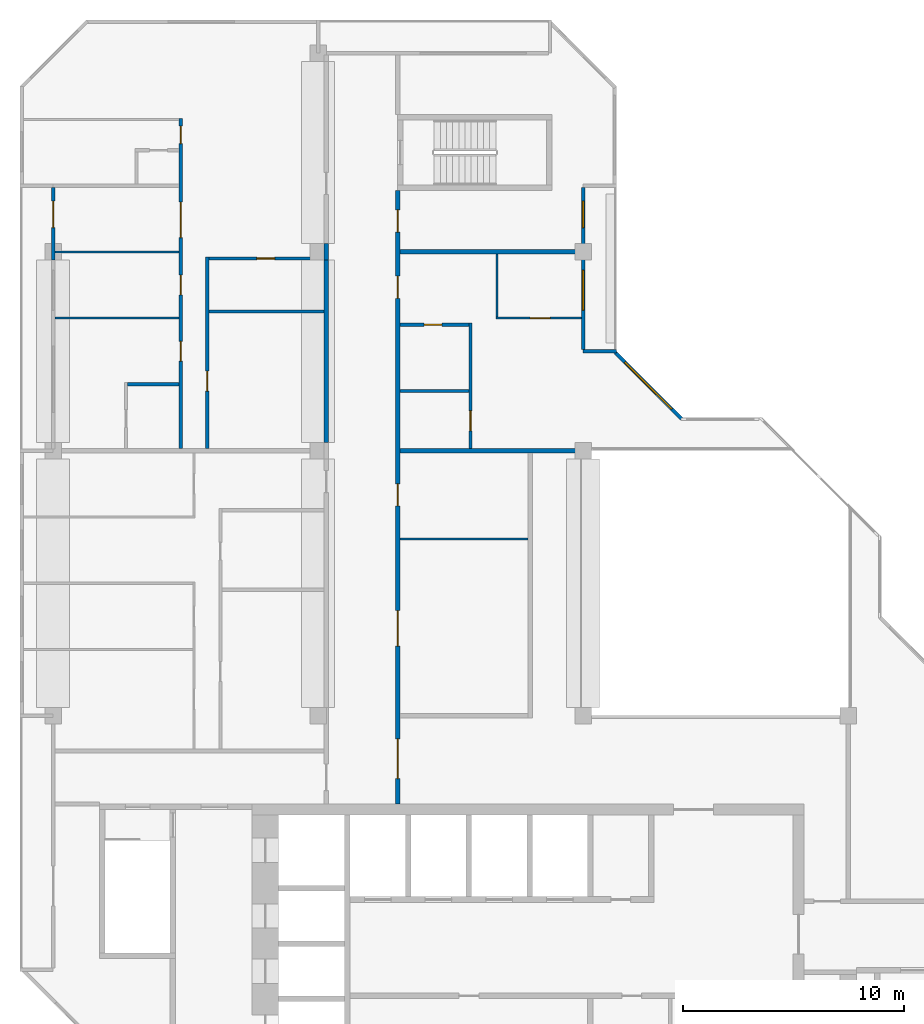
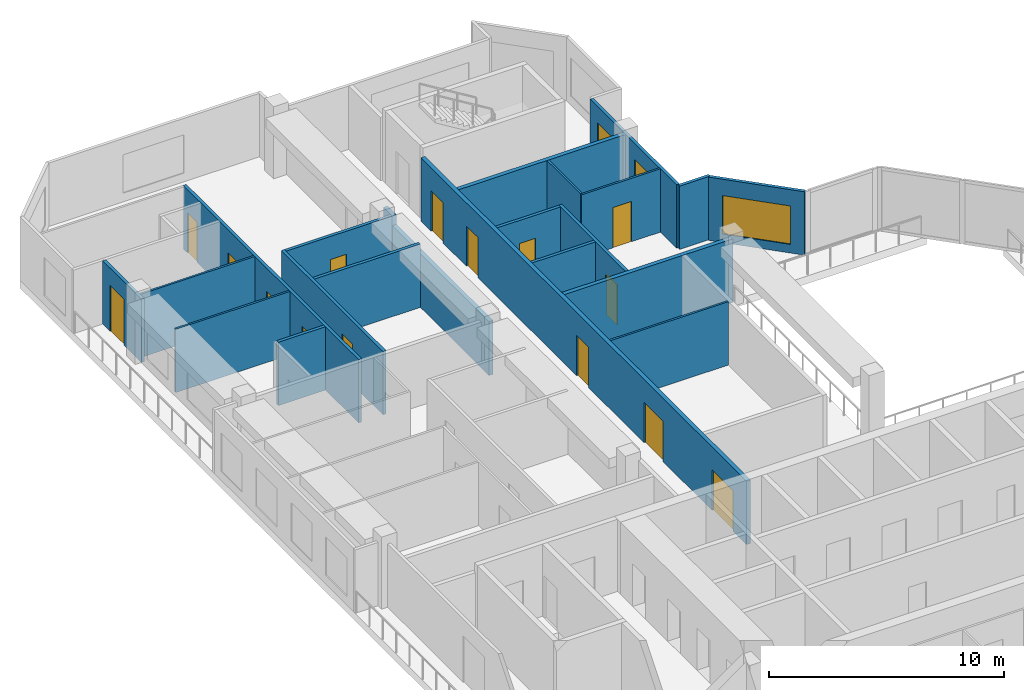
# One storey, part 8 of 11: 22 walls, 15 doors, 3 windows, 18 openings.
"""IFC4 building model written with IfcOpenShell, lengths in metres."""

from ifc_helpers import new_model, si_unit, direction, frame, frame_2d, origin, place, context, subcontext, project, spatial, rectangle, extrude, material, layer, layer_set, type_object, element, fill, save


model = new_model("IFC4")

# Units and contexts
model_context = context("Model", 3, precision=1e-05, world=origin(), true_north=direction((0.0, 1.0)))
body_context = subcontext(model_context, "Body", "Model", "MODEL_VIEW")
ifc_project = project(units=[si_unit("LENGTHUNIT", "METRE"), si_unit("AREAUNIT", "SQUARE_METRE"), si_unit("VOLUMEUNIT", "CUBIC_METRE"), si_unit("PLANEANGLEUNIT", "RADIAN"), si_unit("MASSUNIT", "GRAM", prefix="KILO")], contexts=[model_context])

# Site, building, storey
site_placement = place(None, origin())
site = spatial("IfcSite", under=ifc_project, at=site_placement, CompositionType="ELEMENT")
building_placement = place(site_placement, origin())
building = spatial("IfcBuilding", under=site, at=building_placement, Name="Chenar Terraces", CompositionType="ELEMENT")
storey_placement = place(building_placement, frame((0.0, 0.0, 380.14990234375)))
storey = spatial("IfcBuildingStorey", under=building, at=storey_placement, Name="L89", CompositionType="ELEMENT", Elevation=380.14990234375)

# Wall, openings, doors
ifc_material_1 = material(Name="Gypsum board on steel studs with fire boards", Category="steel")
ifc_layer_1 = layer(ifc_material_1, 0.199951171875)
ifc_layer_set_1 = layer_set([ifc_layer_1], Name="Gypsum board on steel studs with fire boards")
wall_type_1 = type_object("IfcWallType", Name="Corridor wall 200", PredefinedType="PARTITIONING", material=ifc_layer_set_1)
wall_1_placement = place(storey_placement, frame((15.60009765625, 20.0, 0.0), z_axis=(0.0, 0.0, 1.0), x_axis=(0.0, 1.0, 0.0)))
wall_1 = element("IfcWall", 1, at=wall_1_placement, inside=storey, type_object=wall_type_1, Name="Partition L89-031", PredefinedType="PARTITIONING", context=body_context, shape_type="SweptSolid", body=[
    extrude(rectangle(XDim=27.77490234375, YDim=0.199951171875, at=frame_2d((13.887451171875, 0.0))), origin(), (0.0, 0.0, 1.0), 3.300048828125),
])
opening_1_placement = place(wall_1_placement, frame((7.14990234375, 0.0, 0.0)))
opening_1 = element("IfcOpeningElement", 2, at=opening_1_placement, cuts=wall_1, Name="Opening DL89-1", PredefinedType="OPENING", context=body_context, shape_type="SweptSolid", body=[
    extrude(rectangle(XDim=1.60009765625, YDim=2.10009765625, at=frame_2d((0.800048828125, 1.050048828125))), frame((0.0, 0.10986328125, 0.0), z_axis=(0.0, -1.0, 0.0), x_axis=(1.0, 0.0, 0.0)), (0.0, 0.0, 1.0), 0.219970703125),
])
opening_2_placement = place(wall_1_placement, frame((13.5, 0.0, 0.0)))
opening_2 = element("IfcOpeningElement", 3, at=opening_2_placement, cuts=wall_1, Name="Opening DL89-2", PredefinedType="OPENING", context=body_context, shape_type="SweptSolid", body=[
    extrude(rectangle(XDim=1.0, YDim=2.10009765625, at=frame_2d((0.5, 1.050048828125))), frame((0.0, 0.10986328125, 0.0), z_axis=(0.0, -1.0, 0.0), x_axis=(1.0, 0.0, 0.0)), (0.0, 0.0, 1.0), 0.219970703125),
])
opening_3_placement = place(wall_1_placement, frame((22.89990234375, 0.0, 0.0)))
opening_3 = element("IfcOpeningElement", 4, at=opening_3_placement, cuts=wall_1, Name="Opening DL89-7", PredefinedType="OPENING", context=body_context, shape_type="SweptSolid", body=[
    extrude(rectangle(XDim=1.0, YDim=2.10009765625, at=frame_2d((0.5, 1.050048828125))), frame((0.0, 0.10986328125, 0.0), z_axis=(0.0, -1.0, 0.0), x_axis=(1.0, 0.0, 0.0)), (0.0, 0.0, 1.0), 0.219970703125),
])
opening_4_placement = place(wall_1_placement, frame((1.14990234375, 0.0, 0.0)))
opening_4 = element("IfcOpeningElement", 5, at=opening_4_placement, cuts=wall_1, Name="Opening DL89-18", PredefinedType="OPENING", context=body_context, shape_type="SweptSolid", body=[
    extrude(rectangle(XDim=1.800048828125, YDim=2.10009765625, at=frame_2d((0.89990234375, 1.050048828125))), frame((0.0, 0.10986328125, 0.0), z_axis=(0.0, -1.0, 0.0), x_axis=(1.0, 0.0, 0.0)), (0.0, 0.0, 1.0), 0.219970703125),
])
opening_5_placement = place(wall_1_placement, frame((25.89990234375, 0.0, 0.0)))
opening_5 = element("IfcOpeningElement", 6, at=opening_5_placement, cuts=wall_1, Name="Opening DL89-21", PredefinedType="OPENING", context=body_context, shape_type="SweptSolid", body=[
    extrude(rectangle(XDim=1.0, YDim=2.10009765625, at=frame_2d((0.5, 1.050048828125))), frame((0.0, 0.10986328125, 0.0), z_axis=(0.0, -1.0, 0.0), x_axis=(1.0, 0.0, 0.0)), (0.0, 0.0, 1.0), 0.219970703125),
])
ifc_material_2 = material(Name="Steel-framed fire-resisting door leaf", Category="steel")
door_type_1 = type_object("IfcDoorType", Name="Fire door FD60 1000 x 2100", OperationType="SINGLE_SWING_LEFT", PredefinedType="DOOR", material=ifc_material_2)
door_1_placement = place(opening_2_placement, frame((1.0, 0.0, 0.0), z_axis=(0.0, 0.0, 1.0), x_axis=(-1.0, 0.0, 0.0)))
door_1 = element("IfcDoor", 7, at=door_1_placement, inside=storey, type_object=door_type_1, Name="Door DL89-2", OperationType="SINGLE_SWING_LEFT", OverallHeight=2.10009765625, OverallWidth=1.0, PredefinedType="DOOR", context=body_context, shape_type="SweptSolid", body=[
    extrude(rectangle(XDim=1.0, YDim=2.10009765625, at=frame_2d((0.5, 1.050048828125))), frame((0.0, 0.02490234375, 0.0), z_axis=(0.0, -1.0, 0.0), x_axis=(1.0, 0.0, 0.0)), (0.0, 0.0, 1.0), 0.050048828125),
])
fill(opening_2, door_1)
door_2_placement = place(opening_3_placement, frame((1.0, 0.0, 0.0), z_axis=(0.0, 0.0, 1.0), x_axis=(-1.0, 0.0, 0.0)))
door_2 = element("IfcDoor", 8, at=door_2_placement, inside=storey, type_object=door_type_1, Name="Door DL89-7", OperationType="SINGLE_SWING_LEFT", OverallHeight=2.10009765625, OverallWidth=1.0, PredefinedType="DOOR", context=body_context, shape_type="SweptSolid", body=[
    extrude(rectangle(XDim=1.0, YDim=2.10009765625, at=frame_2d((0.5, 1.050048828125))), frame((0.0, 0.02490234375, 0.0), z_axis=(0.0, -1.0, 0.0), x_axis=(1.0, 0.0, 0.0)), (0.0, 0.0, 1.0), 0.050048828125),
])
fill(opening_3, door_2)
door_3_placement = place(opening_5_placement, frame((1.0, 0.0, 0.0), z_axis=(0.0, 0.0, 1.0), x_axis=(-1.0, 0.0, 0.0)))
door_3 = element("IfcDoor", 9, at=door_3_placement, inside=storey, type_object=door_type_1, Name="Door DL89-21", OperationType="SINGLE_SWING_RIGHT", OverallHeight=2.10009765625, OverallWidth=1.0, PredefinedType="DOOR", context=body_context, shape_type="SweptSolid", body=[
    extrude(rectangle(XDim=1.0, YDim=2.10009765625, at=frame_2d((0.5, 1.050048828125))), frame((0.0, 0.02490234375, 0.0), z_axis=(0.0, -1.0, 0.0), x_axis=(1.0, 0.0, 0.0)), (0.0, 0.0, 1.0), 0.050048828125),
])
fill(opening_5, door_3)
ifc_material_3 = material(Name="Steel-framed fire-resisting door leaf", Category="steel")
door_type_2 = type_object("IfcDoorType", Name="Fire double door FD60 1600 x 2100", OperationType="DOUBLE_DOOR_SINGLE_SWING", PredefinedType="DOOR", material=ifc_material_3)
door_4_placement = place(opening_1_placement, frame((1.60009765625, 0.0, 0.0), z_axis=(0.0, 0.0, 1.0), x_axis=(-1.0, 0.0, 0.0)))
door_4 = element("IfcDoor", 10, at=door_4_placement, inside=storey, type_object=door_type_2, Name="Door DL89-1", OperationType="DOUBLE_DOOR_SINGLE_SWING", OverallHeight=2.10009765625, OverallWidth=1.60009765625, PredefinedType="DOOR", context=body_context, shape_type="SweptSolid", body=[
    extrude(rectangle(XDim=1.60009765625, YDim=2.10009765625, at=frame_2d((0.800048828125, 1.050048828125))), frame((0.0, 0.02490234375, 0.0), z_axis=(0.0, -1.0, 0.0), x_axis=(1.0, 0.0, 0.0)), (0.0, 0.0, 1.0), 0.050048828125),
])
fill(opening_1, door_4)
ifc_material_4 = material(Name="Steel-framed fire-resisting door leaf", Category="steel")
door_type_3 = type_object("IfcDoorType", Name="Fire double door FD60 1800 x 2100", OperationType="DOUBLE_DOOR_SINGLE_SWING", PredefinedType="DOOR", material=ifc_material_4)
door_5_placement = place(opening_4_placement, frame((1.800048828125, 0.0, 0.0), z_axis=(0.0, 0.0, 1.0), x_axis=(-1.0, 0.0, 0.0)))
door_5 = element("IfcDoor", 11, at=door_5_placement, inside=storey, type_object=door_type_3, Name="Door DL89-18", OperationType="DOUBLE_DOOR_SINGLE_SWING", OverallHeight=2.10009765625, OverallWidth=1.800048828125, PredefinedType="DOOR", context=body_context, shape_type="SweptSolid", body=[
    extrude(rectangle(XDim=1.800048828125, YDim=2.10009765625, at=frame_2d((0.89990234375, 1.050048828125))), frame((0.0, 0.02490234375, 0.0), z_axis=(0.0, -1.0, 0.0), x_axis=(1.0, 0.0, 0.0)), (0.0, 0.0, 1.0), 0.050048828125),
])
fill(opening_4, door_5)

# Walls
wall_2_placement = place(storey_placement, frame((12.375, 36.375, 0.0), z_axis=(0.0, 0.0, 1.0), x_axis=(0.0, 1.0, 0.0)))
element("IfcWall", 12, at=wall_2_placement, inside=storey, type_object=wall_type_1, Name="Partition L89-029", PredefinedType="PARTITIONING", context=body_context, shape_type="SweptSolid", body=[
    extrude(rectangle(XDim=8.25, YDim=0.199951171875, at=frame_2d((4.125, 0.0))), origin(), (0.0, 0.0, 1.0), 2.800048828125),
])
wall_3_placement = place(storey_placement, frame((12.375, 44.625, 0.0), z_axis=(0.0, 0.0, 1.0), x_axis=(0.0, 1.0, 0.0)))
element("IfcWall", 13, at=wall_3_placement, inside=storey, type_object=wall_type_1, Name="Partition L89-029", PredefinedType="PARTITIONING", context=body_context, shape_type="SweptSolid", body=[
    extrude(rectangle(XDim=0.75, YDim=0.199951171875, at=frame_2d((0.375, 0.0))), origin(), (0.0, 0.0, 1.0), 3.300048828125),
])

# Wall, openings, windows
ifc_material_5 = material(Name="Aluminium framed glazing", Category="aluminium")
ifc_layer_2 = layer(ifc_material_5, 0.14990234375)
ifc_layer_set_2 = layer_set([ifc_layer_2], Name="Aluminium framed glazing")
wall_type_2 = type_object("IfcWallType", Name="Glazed loggia back wall 150", PredefinedType="SOLIDWALL", material=ifc_layer_set_2)
wall_4_placement = place(storey_placement, frame((24.0, 40.574951171875, 0.0), z_axis=(0.0, 0.0, 1.0), x_axis=(0.0, 1.0, 0.0)))
wall_4 = element("IfcWall", 14, at=wall_4_placement, inside=storey, type_object=wall_type_2, Name="Glazed loggia back wall", PredefinedType="SOLIDWALL", context=body_context, shape_type="SweptSolid", body=[
    extrude(rectangle(XDim=7.35009765625, YDim=0.14990234375, at=frame_2d((3.675048828125, 0.0))), origin(), (0.0, 0.0, 1.0), 3.300048828125),
])
opening_6_placement = place(wall_4_placement, frame((1.78759765625, 0.0, 0.449951171875)))
opening_6 = element("IfcOpeningElement", 15, at=opening_6_placement, cuts=wall_4, Name="Opening W180x200", PredefinedType="OPENING", context=body_context, shape_type="SweptSolid", body=[
    extrude(rectangle(XDim=1.800048828125, YDim=2.0, at=frame_2d((0.89990234375, 1.0))), frame((0.0, 0.0849609375, 0.0), z_axis=(0.0, -1.0, 0.0), x_axis=(1.0, 0.0, 0.0)), (0.0, 0.0, 1.0), 0.169921875),
])
opening_7_placement = place(wall_4_placement, frame((5.52490234375, 0.0, 0.449951171875)))
opening_7 = element("IfcOpeningElement", 16, at=opening_7_placement, cuts=wall_4, Name="Opening W120x200", PredefinedType="OPENING", context=body_context, shape_type="SweptSolid", body=[
    extrude(rectangle(XDim=1.199951171875, YDim=2.0, at=frame_2d((0.60009765625, 1.0))), frame((0.0, 0.0849609375, 0.0), z_axis=(0.0, -1.0, 0.0), x_axis=(1.0, 0.0, 0.0)), (0.0, 0.0, 1.0), 0.169921875),
])
ifc_material_6 = material(Name="Low emissivity double glazing, aluminium frame", Category="aluminium")
window_type_1 = type_object("IfcWindowType", Name="Fixed light 1200 x 2000", PartitioningType="SINGLE_PANEL", PredefinedType="WINDOW", material=ifc_material_6)
window_1_placement = place(opening_7_placement, origin())
window_1 = element("IfcWindow", 17, at=window_1_placement, inside=storey, type_object=window_type_1, Name="Window", OverallHeight=2.0, OverallWidth=1.199951171875, PartitioningType="SINGLE_PANEL", PredefinedType="WINDOW", context=body_context, shape_type="SweptSolid", body=[
    extrude(rectangle(XDim=1.199951171875, YDim=2.0, at=frame_2d((0.60009765625, 1.0))), frame((0.0, 0.030029296875, 0.0), z_axis=(0.0, -1.0, 0.0), x_axis=(1.0, 0.0, 0.0)), (0.0, 0.0, 1.0), 0.06005859375),
])
fill(opening_7, window_1)
ifc_material_7 = material(Name="Low emissivity double glazing, aluminium frame", Category="aluminium")
window_type_2 = type_object("IfcWindowType", Name="Fixed light 1800 x 2000", PartitioningType="SINGLE_PANEL", PredefinedType="WINDOW", material=ifc_material_7)
window_2_placement = place(opening_6_placement, origin())
window_2 = element("IfcWindow", 18, at=window_2_placement, inside=storey, type_object=window_type_2, Name="Window", OverallHeight=2.0, OverallWidth=1.800048828125, PartitioningType="SINGLE_PANEL", PredefinedType="WINDOW", context=body_context, shape_type="SweptSolid", body=[
    extrude(rectangle(XDim=1.800048828125, YDim=2.0, at=frame_2d((0.89990234375, 1.0))), frame((0.0, 0.030029296875, 0.0), z_axis=(0.0, -1.0, 0.0), x_axis=(1.0, 0.0, 0.0)), (0.0, 0.0, 1.0), 0.06005859375),
])
fill(opening_6, window_2)

# Wall, opening, door
wall_5_placement = place(storey_placement, frame((0.0, 47.925048828125, 0.0), z_axis=(0.0, 0.0, 1.0), x_axis=(0.0, -1.0, 0.0)))
wall_5 = element("IfcWall", 19, at=wall_5_placement, inside=storey, type_object=wall_type_2, Name="Glazed loggia back wall", PredefinedType="SOLIDWALL", context=body_context, shape_type="SweptSolid", body=[
    extrude(rectangle(XDim=3.300048828125, YDim=0.14990234375, at=frame_2d((1.64990234375, 0.0))), origin(), (0.0, 0.0, 1.0), 3.300048828125),
])
opening_8_placement = place(wall_5_placement, frame((0.625, 0.0, 0.0)))
opening_8 = element("IfcOpeningElement", 20, at=opening_8_placement, cuts=wall_5, Name="Opening DL89-G1", PredefinedType="OPENING", context=body_context, shape_type="SweptSolid", body=[
    extrude(rectangle(XDim=1.199951171875, YDim=2.39990234375, at=frame_2d((0.60009765625, 1.199951171875))), frame((0.0, 0.0849609375, 0.0), z_axis=(0.0, -1.0, 0.0), x_axis=(1.0, 0.0, 0.0)), (0.0, 0.0, 1.0), 0.169921875),
])
ifc_material_8 = material(Name="Low emissivity double glazing, aluminium frame", Category="aluminium")
door_type_4 = type_object("IfcDoorType", Name="Loggia glazed double door 1200 x 2400", OperationType="DOUBLE_DOOR_SINGLE_SWING", PredefinedType="DOOR", material=ifc_material_8)
door_6_placement = place(opening_8_placement, frame((1.199951171875, 0.0, 0.0), z_axis=(0.0, 0.0, 1.0), x_axis=(-1.0, 0.0, 0.0)))
door_6 = element("IfcDoor", 21, at=door_6_placement, inside=storey, type_object=door_type_4, Name="Loggia glazed door", OperationType="DOUBLE_DOOR_SINGLE_SWING", OverallHeight=2.39990234375, OverallWidth=1.199951171875, PredefinedType="DOOR", context=body_context, shape_type="SweptSolid", body=[
    extrude(rectangle(XDim=1.199951171875, YDim=2.39990234375, at=frame_2d((0.60009765625, 1.199951171875))), frame((0.0, 0.02490234375, 0.0), z_axis=(0.0, -1.0, 0.0), x_axis=(1.0, 0.0, 0.0)), (0.0, 0.0, 1.0), 0.050048828125),
])
fill(opening_8, door_6)

# Walls
ifc_material_9 = material(Name="Gypsum board on steel studs", Category="steel")
ifc_layer_3 = layer(ifc_material_9, 0.10009765625)
ifc_layer_set_3 = layer_set([ifc_layer_3], Name="Gypsum board on steel studs")
wall_type_3 = type_object("IfcWallType", Name="Gypsum partition 100", PredefinedType="PARTITIONING", material=ifc_layer_set_3)
for number, where, z_axis, x_axis, name in (
    (22, (0.073974609375, 42.0, 0.0), (0.0, 0.0, 1.0), (1.0, 0.0, 0.0), "Partition L89-009"),
    (23, (0.073974609375, 45.0, 0.0), (0.0, 0.0, 1.0), (1.0, 0.0, 0.0), "Partition L89-010"),
):
    element("IfcWall", number, at=place(storey_placement, frame(where, z_axis=z_axis, x_axis=x_axis)), inside=storey, type_object=wall_type_3, Name=name, PredefinedType="PARTITIONING", context=body_context, shape_type="SweptSolid", body=[
        extrude(rectangle(XDim=5.6259765625, YDim=0.10009765625, at=frame_2d((2.81298828125, 0.0))), origin(), (0.0, 0.0, 1.0), 3.300048828125),
    ])
wall_6_placement = place(storey_placement, frame((15.699951171875, 32.0, 0.0), z_axis=(0.0, 0.0, 1.0), x_axis=(1.0, 0.0, 0.0)))
element("IfcWall", 24, at=wall_6_placement, inside=storey, type_object=wall_type_3, Name="Partition L89-034", PredefinedType="PARTITIONING", context=body_context, shape_type="SweptSolid", body=[
    extrude(rectangle(XDim=5.800048828125, YDim=0.10009765625, at=frame_2d((2.89990234375, 0.0))), origin(), (0.0, 0.0, 1.0), 3.300048828125),
])

# Wall, opening, door
wall_7_placement = place(storey_placement, frame((20.050048828125, 42.0, 0.0), z_axis=(0.0, 0.0, 1.0), x_axis=(1.0, 0.0, 0.0)))
wall_7 = element("IfcWall", 25, at=wall_7_placement, inside=storey, type_object=wall_type_3, Name="Partition L89-041", PredefinedType="PARTITIONING", context=body_context, shape_type="SweptSolid", body=[
    extrude(rectangle(XDim=3.8759765625, YDim=0.10009765625, at=frame_2d((1.93798828125, 0.0))), origin(), (0.0, 0.0, 1.0), 3.300048828125),
])
opening_9_placement = place(wall_7_placement, frame((1.550048828125, 0.0, 0.0)))
opening_9 = element("IfcOpeningElement", 26, at=opening_9_placement, cuts=wall_7, Name="Opening DL89-5", PredefinedType="OPENING", context=body_context, shape_type="SweptSolid", body=[
    extrude(rectangle(XDim=0.89990234375, YDim=2.10009765625, at=frame_2d((0.449951171875, 1.050048828125))), frame((0.0, 0.06005859375, 0.0), z_axis=(0.0, -1.0, 0.0), x_axis=(1.0, 0.0, 0.0)), (0.0, 0.0, 1.0), 0.1201171875),
])
ifc_material_10 = material(Name="Veneered timber door leaf", Category="wood")
door_type_5 = type_object("IfcDoorType", Name="Door 900 x 2100", OperationType="SINGLE_SWING_LEFT", PredefinedType="DOOR", material=ifc_material_10)
door_7_placement = place(opening_9_placement, origin())
door_7 = element("IfcDoor", 27, at=door_7_placement, inside=storey, type_object=door_type_5, Name="Door DL89-5", OperationType="SINGLE_SWING_RIGHT", OverallHeight=2.10009765625, OverallWidth=0.89990234375, PredefinedType="DOOR", context=body_context, shape_type="SweptSolid", body=[
    extrude(rectangle(XDim=0.89990234375, YDim=2.10009765625, at=frame_2d((0.449951171875, 1.050048828125))), frame((0.0, 0.02490234375, 0.0), z_axis=(0.0, -1.0, 0.0), x_axis=(1.0, 0.0, 0.0)), (0.0, 0.0, 1.0), 0.050048828125),
])
fill(opening_9, door_7)

# Walls
wall_8_placement = place(storey_placement, frame((20.10009765625, 42.050048828125, 0.0), z_axis=(0.0, 0.0, 1.0), x_axis=(0.0, 1.0, 0.0)))
element("IfcWall", 28, at=wall_8_placement, inside=storey, type_object=wall_type_3, Name="Partition L89-042", PredefinedType="PARTITIONING", context=body_context, shape_type="SweptSolid", body=[
    extrude(rectangle(XDim=2.849853515625, YDim=0.10009765625, at=frame_2d((1.4248046875, 0.0))), origin(), (0.0, 0.0, 1.0), 3.300048828125),
])
ifc_material_11 = material(Name="Terracotta cladding on insulated backing", Category="masonry")
ifc_layer_4 = layer(ifc_material_11, 0.14990234375)
ifc_layer_set_4 = layer_set([ifc_layer_4], Name="Terracotta cladding on insulated backing")
wall_type_4 = type_object("IfcWallType", Name="Loggia return wall 150", PredefinedType="SOLIDWALL", material=ifc_layer_set_4)
wall_9_placement = place(storey_placement, frame((25.5, 40.5, 0.0), z_axis=(0.0, 0.0, 1.0), x_axis=(-1.0, 0.0, 0.0)))
element("IfcWall", 29, at=wall_9_placement, inside=storey, type_object=wall_type_4, Name="Loggia return wall", PredefinedType="SOLIDWALL", context=body_context, shape_type="SweptSolid", body=[
    extrude(rectangle(XDim=1.5, YDim=0.14990234375, at=frame_2d((0.75, 0.0))), origin(), (0.0, 0.0, 1.0), 3.300048828125),
])

# Wall, opening, window
ifc_material_12 = material(Name="Terracotta cladding on insulated backing", Category="masonry")
ifc_layer_5 = layer(ifc_material_12, 0.14990234375)
ifc_layer_set_5 = layer_set([ifc_layer_5], Name="Terracotta cladding on insulated backing")
wall_type_5 = type_object("IfcWallType", Name="Terracotta rainscreen wall 150", PredefinedType="SOLIDWALL", material=ifc_layer_set_5)
wall_10_placement = place(storey_placement, frame((28.447021484375, 37.447021484375, 0.0), z_axis=(0.0, 0.0, 1.0), x_axis=(-0.707106781187, 0.707106781187, 0.0)))
wall_10 = element("IfcWall", 30, at=wall_10_placement, inside=storey, type_object=wall_type_5, Name="Terracotta rainscreen wall", PredefinedType="SOLIDWALL", context=body_context, shape_type="SweptSolid", body=[
    extrude(rectangle(XDim=4.24267578125, YDim=0.14990234375, at=frame_2d((2.121337890625, 0.0))), origin(), (0.0, 0.0, 1.0), 3.300048828125),
])
opening_10_placement = place(wall_10_placement, frame((0.621337890625, 0.0, 0.449951171875)))
opening_10 = element("IfcOpeningElement", 31, at=opening_10_placement, cuts=wall_10, Name="Opening W300x200", PredefinedType="OPENING", context=body_context, shape_type="SweptSolid", body=[
    extrude(rectangle(XDim=3.0, YDim=2.0, at=frame_2d((1.5, 1.0))), frame((0.0, 0.0849609375, 0.0), z_axis=(0.0, -1.0, 0.0), x_axis=(1.0, 0.0, 0.0)), (0.0, 0.0, 1.0), 0.169921875),
])
ifc_material_13 = material(Name="Low emissivity double glazing, aluminium frame", Category="aluminium")
window_type_3 = type_object("IfcWindowType", Name="Fixed light 3000 x 2000", PartitioningType="SINGLE_PANEL", PredefinedType="WINDOW", material=ifc_material_13)
window_3_placement = place(opening_10_placement, origin())
window_3 = element("IfcWindow", 32, at=window_3_placement, inside=storey, type_object=window_type_3, Name="Window", OverallHeight=2.0, OverallWidth=3.0, PartitioningType="SINGLE_PANEL", PredefinedType="WINDOW", context=body_context, shape_type="SweptSolid", body=[
    extrude(rectangle(XDim=3.0, YDim=2.0, at=frame_2d((1.5, 1.0))), frame((0.0, 0.030029296875, 0.0), z_axis=(0.0, -1.0, 0.0), x_axis=(1.0, 0.0, 0.0)), (0.0, 0.0, 1.0), 0.06005859375),
])
fill(opening_10, window_3)

# Walls
ifc_material_14 = material(Name="Twin gypsum board on steel studs with mineral wool", Category="steel")
ifc_layer_6 = layer(ifc_material_14, 0.199951171875)
ifc_layer_set_6 = layer_set([ifc_layer_6], Name="Twin gypsum board on steel studs with mineral wool")
wall_type_6 = type_object("IfcWallType", Name="Unit demising wall 200", PredefinedType="PARTITIONING", material=ifc_layer_set_6)
wall_11_placement = place(storey_placement, frame((15.699951171875, 36.0, 0.0), z_axis=(0.0, 0.0, 1.0), x_axis=(1.0, 0.0, 0.0)))
element("IfcWall", 33, at=wall_11_placement, inside=storey, type_object=wall_type_6, Name="Partition L89-035", PredefinedType="PARTITIONING", context=body_context, shape_type="SweptSolid", body=[
    extrude(rectangle(XDim=8.300048828125, YDim=0.199951171875, at=frame_2d((4.14990234375, 0.0))), origin(), (0.0, 0.0, 1.0), 3.300048828125),
])
wall_12_placement = place(storey_placement, frame((15.699951171875, 45.0, 0.0), z_axis=(0.0, 0.0, 1.0), x_axis=(1.0, 0.0, 0.0)))
element("IfcWall", 34, at=wall_12_placement, inside=storey, type_object=wall_type_6, Name="Partition L89-038", PredefinedType="PARTITIONING", context=body_context, shape_type="SweptSolid", body=[
    extrude(rectangle(XDim=8.22607421875, YDim=0.199951171875, at=frame_2d((4.113037109375, 0.0))), origin(), (0.0, 0.0, 1.0), 3.300048828125),
])
ifc_material_15 = material(Name="Moisture-resistant gypsum board on steel studs", Category="steel")
ifc_layer_7 = layer(ifc_material_15, 0.14990234375)
ifc_layer_set_7 = layer_set([ifc_layer_7], Name="Moisture-resistant gypsum board on steel studs")
wall_type_7 = type_object("IfcWallType", Name="Wet-room partition 150", PredefinedType="PARTITIONING", material=ifc_layer_set_7)
wall_13_placement = place(storey_placement, frame((3.375, 39.0, 0.0), z_axis=(0.0, 0.0, 1.0), x_axis=(1.0, 0.0, 0.0)))
element("IfcWall", 35, at=wall_13_placement, inside=storey, type_object=wall_type_7, Name="Partition L89-013", PredefinedType="PARTITIONING", context=body_context, shape_type="SweptSolid", body=[
    extrude(rectangle(XDim=2.324951171875, YDim=0.14990234375, at=frame_2d((1.16259765625, 0.0))), origin(), (0.0, 0.0, 1.0), 3.300048828125),
])

# Wall, openings, doors
wall_14_placement = place(storey_placement, frame((5.77490234375, 36.10009765625, 0.0), z_axis=(0.0, 0.0, 1.0), x_axis=(0.0, 1.0, 0.0)))
wall_14 = element("IfcWall", 36, at=wall_14_placement, inside=storey, type_object=wall_type_7, Name="Partition L89-016", PredefinedType="PARTITIONING", context=body_context, shape_type="SweptSolid", body=[
    extrude(rectangle(XDim=14.949951171875, YDim=0.14990234375, at=frame_2d((7.47509765625, 0.0))), origin(), (0.0, 0.0, 1.0), 3.300048828125),
])
opening_11_placement = place(wall_14_placement, frame((6.949951171875, 0.0, 0.0)))
opening_11 = element("IfcOpeningElement", 37, at=opening_11_placement, cuts=wall_14, Name="Opening DL89-9", PredefinedType="OPENING", context=body_context, shape_type="SweptSolid", body=[
    extrude(rectangle(XDim=0.89990234375, YDim=2.10009765625, at=frame_2d((0.449951171875, 1.050048828125))), frame((0.0, 0.0849609375, 0.0), z_axis=(0.0, -1.0, 0.0), x_axis=(1.0, 0.0, 0.0)), (0.0, 0.0, 1.0), 0.169921875),
])
opening_12_placement = place(wall_14_placement, frame((3.949951171875, 0.0, 0.0)))
opening_12 = element("IfcOpeningElement", 38, at=opening_12_placement, cuts=wall_14, Name="Opening DL89-10", PredefinedType="OPENING", context=body_context, shape_type="SweptSolid", body=[
    extrude(rectangle(XDim=0.89990234375, YDim=2.10009765625, at=frame_2d((0.449951171875, 1.050048828125))), frame((0.0, 0.0849609375, 0.0), z_axis=(0.0, -1.0, 0.0), x_axis=(1.0, 0.0, 0.0)), (0.0, 0.0, 1.0), 0.169921875),
])
opening_13_placement = place(wall_14_placement, frame((13.800048828125, 0.0, 0.0)))
opening_13 = element("IfcOpeningElement", 39, at=opening_13_placement, cuts=wall_14, Name="Opening DL89-14", PredefinedType="OPENING", context=body_context, shape_type="SweptSolid", body=[
    extrude(rectangle(XDim=0.800048828125, YDim=2.10009765625, at=frame_2d((0.39990234375, 1.050048828125))), frame((0.0, 0.0849609375, 0.0), z_axis=(0.0, -1.0, 0.0), x_axis=(1.0, 0.0, 0.0)), (0.0, 0.0, 1.0), 0.169921875),
])
opening_14_placement = place(wall_14_placement, frame((9.550048828125, 0.0, 0.0)))
opening_14 = element("IfcOpeningElement", 40, at=opening_14_placement, cuts=wall_14, Name="Opening DL89-16", PredefinedType="OPENING", context=body_context, shape_type="SweptSolid", body=[
    extrude(rectangle(XDim=1.60009765625, YDim=2.10009765625, at=frame_2d((0.800048828125, 1.050048828125))), frame((0.0, 0.0849609375, 0.0), z_axis=(0.0, -1.0, 0.0), x_axis=(1.0, 0.0, 0.0)), (0.0, 0.0, 1.0), 0.169921875),
])
ifc_material_16 = material(Name="Veneered timber door leaf", Category="wood")
door_type_6 = type_object("IfcDoorType", Name="Door 800 x 2100", OperationType="SINGLE_SWING_LEFT", PredefinedType="DOOR", material=ifc_material_16)
door_8_placement = place(opening_13_placement, origin())
door_8 = element("IfcDoor", 41, at=door_8_placement, inside=storey, type_object=door_type_6, Name="Door DL89-14", OperationType="SINGLE_SWING_RIGHT", OverallHeight=2.10009765625, OverallWidth=0.800048828125, PredefinedType="DOOR", context=body_context, shape_type="SweptSolid", body=[
    extrude(rectangle(XDim=0.800048828125, YDim=2.10009765625, at=frame_2d((0.39990234375, 1.050048828125))), frame((0.0, 0.02490234375, 0.0), z_axis=(0.0, -1.0, 0.0), x_axis=(1.0, 0.0, 0.0)), (0.0, 0.0, 1.0), 0.050048828125),
])
fill(opening_13, door_8)
door_9_placement = place(opening_11_placement, origin())
door_9 = element("IfcDoor", 42, at=door_9_placement, inside=storey, type_object=door_type_5, Name="Door DL89-9", OperationType="SINGLE_SWING_RIGHT", OverallHeight=2.10009765625, OverallWidth=0.89990234375, PredefinedType="DOOR", context=body_context, shape_type="SweptSolid", body=[
    extrude(rectangle(XDim=0.89990234375, YDim=2.10009765625, at=frame_2d((0.449951171875, 1.050048828125))), frame((0.0, 0.02490234375, 0.0), z_axis=(0.0, -1.0, 0.0), x_axis=(1.0, 0.0, 0.0)), (0.0, 0.0, 1.0), 0.050048828125),
])
fill(opening_11, door_9)
door_10_placement = place(opening_12_placement, origin())
door_10 = element("IfcDoor", 43, at=door_10_placement, inside=storey, type_object=door_type_5, Name="Door DL89-10", OperationType="SINGLE_SWING_RIGHT", OverallHeight=2.10009765625, OverallWidth=0.89990234375, PredefinedType="DOOR", context=body_context, shape_type="SweptSolid", body=[
    extrude(rectangle(XDim=0.89990234375, YDim=2.10009765625, at=frame_2d((0.449951171875, 1.050048828125))), frame((0.0, 0.02490234375, 0.0), z_axis=(0.0, -1.0, 0.0), x_axis=(1.0, 0.0, 0.0)), (0.0, 0.0, 1.0), 0.050048828125),
])
fill(opening_12, door_10)
ifc_material_17 = material(Name="Veneered timber door leaf", Category="wood")
door_type_7 = type_object("IfcDoorType", Name="Double door 1600 x 2100", OperationType="DOUBLE_DOOR_SINGLE_SWING", PredefinedType="DOOR", material=ifc_material_17)
door_11_placement = place(opening_14_placement, origin())
door_11 = element("IfcDoor", 44, at=door_11_placement, inside=storey, type_object=door_type_7, Name="Door DL89-16", OperationType="DOUBLE_DOOR_SINGLE_SWING", OverallHeight=2.10009765625, OverallWidth=1.60009765625, PredefinedType="DOOR", context=body_context, shape_type="SweptSolid", body=[
    extrude(rectangle(XDim=1.60009765625, YDim=2.10009765625, at=frame_2d((0.800048828125, 1.050048828125))), frame((0.0, 0.02490234375, 0.0), z_axis=(0.0, -1.0, 0.0), x_axis=(1.0, 0.0, 0.0)), (0.0, 0.0, 1.0), 0.050048828125),
])
fill(opening_14, door_11)

# Wall, opening, door
wall_15_placement = place(storey_placement, frame((6.97509765625, 36.10009765625, 0.0), z_axis=(0.0, 0.0, 1.0), x_axis=(0.0, 1.0, 0.0)))
wall_15 = element("IfcWall", 45, at=wall_15_placement, inside=storey, type_object=wall_type_7, Name="Partition L89-019", PredefinedType="PARTITIONING", context=body_context, shape_type="SweptSolid", body=[
    extrude(rectangle(XDim=8.6748046875, YDim=0.14990234375, at=frame_2d((4.33740234375, 0.0))), origin(), (0.0, 0.0, 1.0), 3.300048828125),
])
opening_15_placement = place(wall_15_placement, frame((2.60009765625, 0.0, 0.0)))
opening_15 = element("IfcOpeningElement", 46, at=opening_15_placement, cuts=wall_15, Name="Opening DL89-12", PredefinedType="OPENING", context=body_context, shape_type="SweptSolid", body=[
    extrude(rectangle(XDim=0.89990234375, YDim=2.10009765625, at=frame_2d((0.449951171875, 1.050048828125))), frame((0.0, 0.0849609375, 0.0), z_axis=(0.0, -1.0, 0.0), x_axis=(1.0, 0.0, 0.0)), (0.0, 0.0, 1.0), 0.169921875),
])
door_12_placement = place(opening_15_placement, frame((0.89990234375, 0.0, 0.0), z_axis=(0.0, 0.0, 1.0), x_axis=(-1.0, 0.0, 0.0)))
door_12 = element("IfcDoor", 47, at=door_12_placement, inside=storey, type_object=door_type_5, Name="Door DL89-12", OperationType="SINGLE_SWING_LEFT", OverallHeight=2.10009765625, OverallWidth=0.89990234375, PredefinedType="DOOR", context=body_context, shape_type="SweptSolid", body=[
    extrude(rectangle(XDim=0.89990234375, YDim=2.10009765625, at=frame_2d((0.449951171875, 1.050048828125))), frame((0.0, 0.02490234375, 0.0), z_axis=(0.0, -1.0, 0.0), x_axis=(1.0, 0.0, 0.0)), (0.0, 0.0, 1.0), 0.050048828125),
])
fill(opening_15, door_12)

# Wall
wall_16_placement = place(storey_placement, frame((7.050048828125, 42.300048828125, 0.0), z_axis=(0.0, 0.0, 1.0), x_axis=(1.0, 0.0, 0.0)))
element("IfcWall", 48, at=wall_16_placement, inside=storey, type_object=wall_type_7, Name="Partition L89-020", PredefinedType="PARTITIONING", context=body_context, shape_type="SweptSolid", body=[
    extrude(rectangle(XDim=5.224853515625, YDim=0.14990234375, at=frame_2d((2.6123046875, 0.0))), origin(), (0.0, 0.0, 1.0), 3.300048828125),
])

# Wall, opening, door
wall_17_placement = place(storey_placement, frame((7.050048828125, 44.699951171875, 0.0), z_axis=(0.0, 0.0, 1.0), x_axis=(1.0, 0.0, 0.0)))
wall_17 = element("IfcWall", 49, at=wall_17_placement, inside=storey, type_object=wall_type_7, Name="Partition L89-021", PredefinedType="PARTITIONING", context=body_context, shape_type="SweptSolid", body=[
    extrude(rectangle(XDim=5.224853515625, YDim=0.14990234375, at=frame_2d((2.6123046875, 0.0))), origin(), (0.0, 0.0, 1.0), 3.300048828125),
])
opening_16_placement = place(wall_17_placement, frame((2.175048828125, 0.0, 0.0)))
opening_16 = element("IfcOpeningElement", 50, at=opening_16_placement, cuts=wall_17, Name="Opening DL89-8", PredefinedType="OPENING", context=body_context, shape_type="SweptSolid", body=[
    extrude(rectangle(XDim=0.800048828125, YDim=2.10009765625, at=frame_2d((0.39990234375, 1.050048828125))), frame((0.0, 0.0849609375, 0.0), z_axis=(0.0, -1.0, 0.0), x_axis=(1.0, 0.0, 0.0)), (0.0, 0.0, 1.0), 0.169921875),
])
door_13_placement = place(opening_16_placement, frame((0.800048828125, 0.0, 0.0), z_axis=(0.0, 0.0, 1.0), x_axis=(-1.0, 0.0, 0.0)))
door_13 = element("IfcDoor", 51, at=door_13_placement, inside=storey, type_object=door_type_6, Name="Door DL89-8", OperationType="SINGLE_SWING_LEFT", OverallHeight=2.10009765625, OverallWidth=0.800048828125, PredefinedType="DOOR", context=body_context, shape_type="SweptSolid", body=[
    extrude(rectangle(XDim=0.800048828125, YDim=2.10009765625, at=frame_2d((0.39990234375, 1.050048828125))), frame((0.0, 0.02490234375, 0.0), z_axis=(0.0, -1.0, 0.0), x_axis=(1.0, 0.0, 0.0)), (0.0, 0.0, 1.0), 0.050048828125),
])
fill(opening_16, door_13)

# Wall
wall_18_placement = place(storey_placement, frame((15.699951171875, 38.699951171875, 0.0), z_axis=(0.0, 0.0, 1.0), x_axis=(1.0, 0.0, 0.0)))
element("IfcWall", 52, at=wall_18_placement, inside=storey, type_object=wall_type_7, Name="Partition L89-036", PredefinedType="PARTITIONING", context=body_context, shape_type="SweptSolid", body=[
    extrude(rectangle(XDim=3.125, YDim=0.14990234375, at=frame_2d((1.5625, 0.0))), origin(), (0.0, 0.0, 1.0), 3.300048828125),
])

# Wall, opening, door
wall_19_placement = place(storey_placement, frame((15.699951171875, 41.699951171875, 0.0), z_axis=(0.0, 0.0, 1.0), x_axis=(1.0, 0.0, 0.0)))
wall_19 = element("IfcWall", 53, at=wall_19_placement, inside=storey, type_object=wall_type_7, Name="Partition L89-037", PredefinedType="PARTITIONING", context=body_context, shape_type="SweptSolid", body=[
    extrude(rectangle(XDim=3.125, YDim=0.14990234375, at=frame_2d((1.5625, 0.0))), origin(), (0.0, 0.0, 1.0), 3.300048828125),
])
opening_17_placement = place(wall_19_placement, frame((1.10009765625, 0.0, 0.0)))
opening_17 = element("IfcOpeningElement", 54, at=opening_17_placement, cuts=wall_19, Name="Opening DL89-4", PredefinedType="OPENING", context=body_context, shape_type="SweptSolid", body=[
    extrude(rectangle(XDim=0.800048828125, YDim=2.10009765625, at=frame_2d((0.39990234375, 1.050048828125))), frame((0.0, 0.0849609375, 0.0), z_axis=(0.0, -1.0, 0.0), x_axis=(1.0, 0.0, 0.0)), (0.0, 0.0, 1.0), 0.169921875),
])
door_14_placement = place(opening_17_placement, frame((0.800048828125, 0.0, 0.0), z_axis=(0.0, 0.0, 1.0), x_axis=(-1.0, 0.0, 0.0)))
door_14 = element("IfcDoor", 55, at=door_14_placement, inside=storey, type_object=door_type_6, Name="Door DL89-4", OperationType="SINGLE_SWING_RIGHT", OverallHeight=2.10009765625, OverallWidth=0.800048828125, PredefinedType="DOOR", context=body_context, shape_type="SweptSolid", body=[
    extrude(rectangle(XDim=0.800048828125, YDim=2.10009765625, at=frame_2d((0.39990234375, 1.050048828125))), frame((0.0, 0.02490234375, 0.0), z_axis=(0.0, -1.0, 0.0), x_axis=(1.0, 0.0, 0.0)), (0.0, 0.0, 1.0), 0.050048828125),
])
fill(opening_17, door_14)

wall_20_placement = place(storey_placement, frame((18.89990234375, 36.10009765625, 0.0), z_axis=(0.0, 0.0, 1.0), x_axis=(0.0, 1.0, 0.0)))
wall_20 = element("IfcWall", 56, at=wall_20_placement, inside=storey, type_object=wall_type_7, Name="Partition L89-040", PredefinedType="PARTITIONING", context=body_context, shape_type="SweptSolid", body=[
    extrude(rectangle(XDim=5.6748046875, YDim=0.14990234375, at=frame_2d((2.83740234375, 0.0))), origin(), (0.0, 0.0, 1.0), 3.300048828125),
])
opening_18_placement = place(wall_20_placement, frame((0.800048828125, 0.0, 0.0)))
opening_18 = element("IfcOpeningElement", 57, at=opening_18_placement, cuts=wall_20, Name="Opening DL89-6", PredefinedType="OPENING", context=body_context, shape_type="SweptSolid", body=[
    extrude(rectangle(XDim=0.89990234375, YDim=2.10009765625, at=frame_2d((0.449951171875, 1.050048828125))), frame((0.0, 0.0849609375, 0.0), z_axis=(0.0, -1.0, 0.0), x_axis=(1.0, 0.0, 0.0)), (0.0, 0.0, 1.0), 0.169921875),
])
door_15_placement = place(opening_18_placement, origin())
door_15 = element("IfcDoor", 58, at=door_15_placement, inside=storey, type_object=door_type_5, Name="Door DL89-6", OperationType="SINGLE_SWING_RIGHT", OverallHeight=2.10009765625, OverallWidth=0.89990234375, PredefinedType="DOOR", context=body_context, shape_type="SweptSolid", body=[
    extrude(rectangle(XDim=0.89990234375, YDim=2.10009765625, at=frame_2d((0.449951171875, 1.050048828125))), frame((0.0, 0.02490234375, 0.0), z_axis=(0.0, -1.0, 0.0), x_axis=(1.0, 0.0, 0.0)), (0.0, 0.0, 1.0), 0.050048828125),
])
fill(opening_18, door_15)

save(model, "model.ifc")
